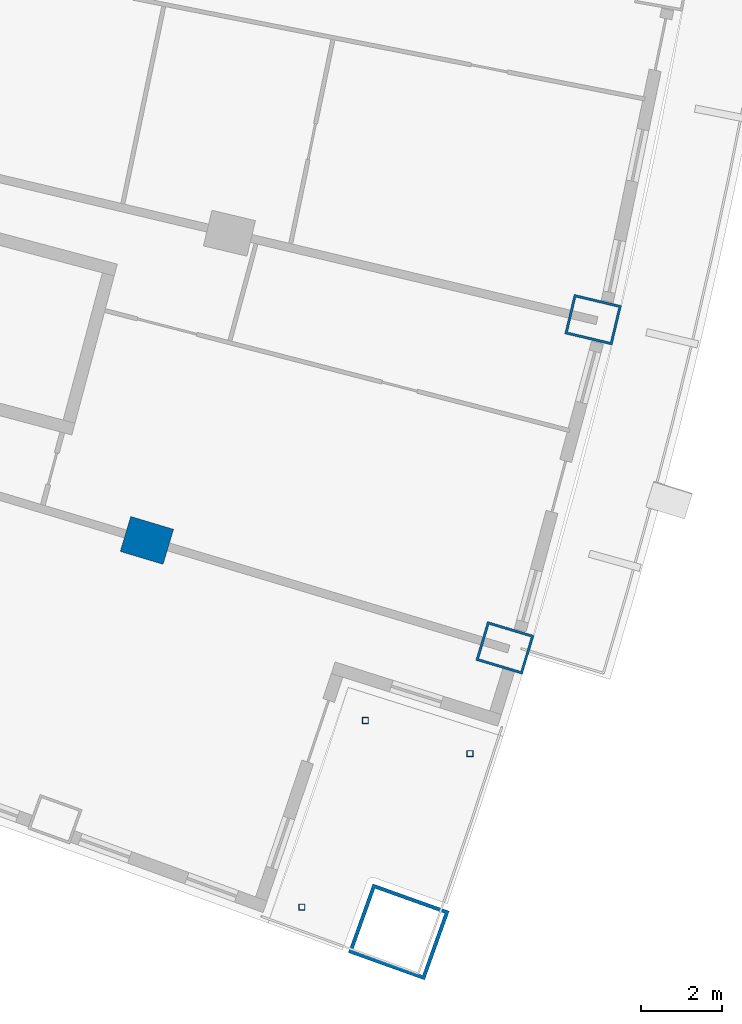
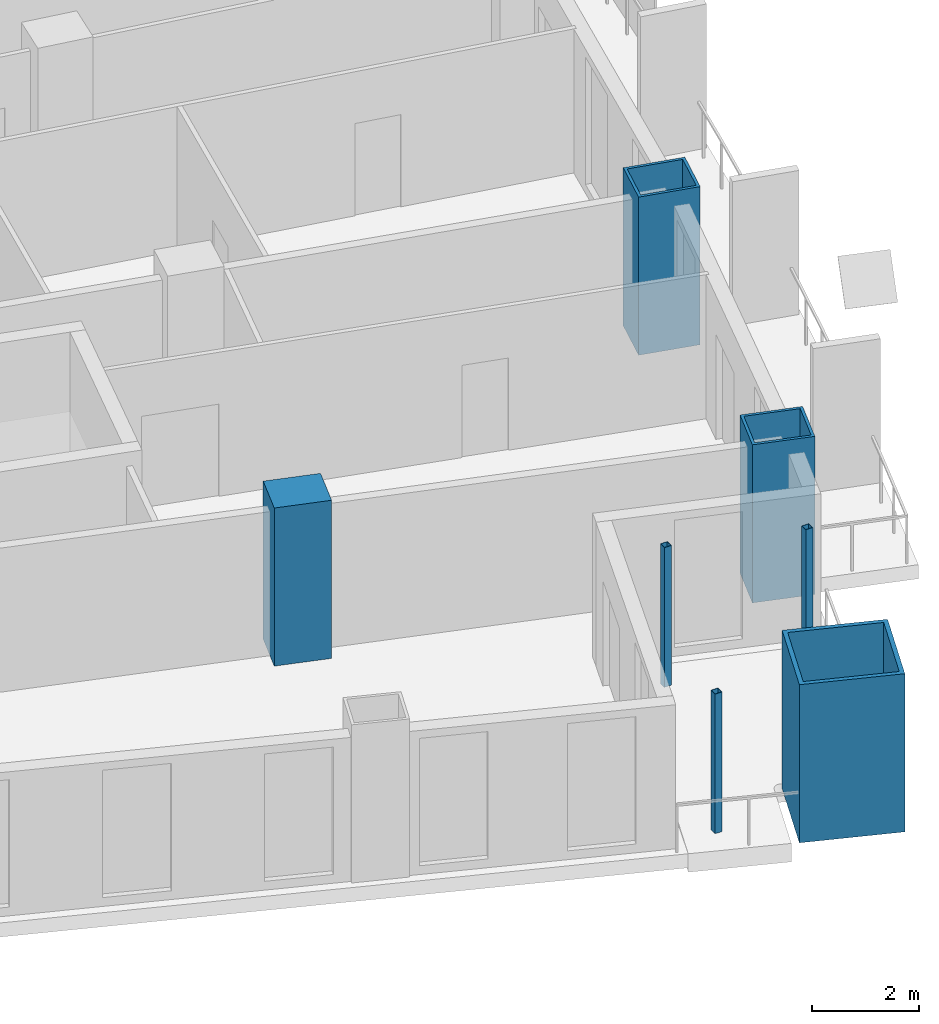
# One storey, part 5 of 24: 7 columns.
"""IFC4 building model written with IfcOpenShell, lengths in metres."""

from ifc_helpers import new_model, si_unit, direction, frame, origin, origin_2d, place, context, subcontext, project, spatial, rectangle, hollow_rectangle, extrude, material, material_profile, profile_set, type_object, element, save


model = new_model("IFC4")

# Units and contexts
model_context = context("Model", 3, precision=1e-05, world=origin(), true_north=direction((0.0, 1.0)))
body_context = subcontext(model_context, "Body", "Model", "MODEL_VIEW")
ifc_project = project(units=[si_unit("LENGTHUNIT", "METRE"), si_unit("AREAUNIT", "SQUARE_METRE"), si_unit("VOLUMEUNIT", "CUBIC_METRE"), si_unit("PLANEANGLEUNIT", "RADIAN"), si_unit("MASSUNIT", "GRAM", prefix="KILO")], contexts=[model_context])

# Site, building, storey
site_placement = place(None, origin())
site = spatial("IfcSite", under=ifc_project, at=site_placement, CompositionType="ELEMENT")
building_placement = place(site_placement, origin())
building = spatial("IfcBuilding", under=site, at=building_placement, Name="Alderwake Tower", CompositionType="ELEMENT")
storey_placement = place(building_placement, frame((0.0, 0.0, 39.199951171875)))
storey = spatial("IfcBuildingStorey", under=building, at=storey_placement, Name="L08", CompositionType="ELEMENT", Elevation=39.199951171875)

# Columns
ifc_material_1 = material(Name="Concrete C70/85", Category="concrete")
ifc_material_profile_1 = material_profile(ifc_material_1, rectangle(XDim=0.89990234375, YDim=1.10009765625, at=origin_2d()), Name="RC 1100X900")
ifc_profile_set_1 = profile_set([ifc_material_profile_1], Name="Concrete C70/85")
column_type_1 = type_object("IfcColumnType", Name="Interior column Z1", PredefinedType="COLUMN", material=ifc_profile_set_1)
column_1_placement = place(storey_placement, frame((48.5322265625, 22.410888671875, 0.0), z_axis=(0.0, 0.0, 1.0), x_axis=(0.287549418125, 0.957765802342, 0.0)))
element("IfcColumn", 1, at=column_1_placement, inside=storey, type_object=column_type_1, Name="Column R02-C4", PredefinedType="COLUMN", context=body_context, shape_type="SweptSolid", body=[
    extrude(rectangle(XDim=0.89990234375, YDim=1.10009765625, at=origin_2d()), origin(), (0.0, 0.0, 1.0), 3.60009765625),
])
ifc_material_2 = material(Name="Steel ASTM A500 Grade C", Category="steel")
ifc_material_profile_2 = material_profile(ifc_material_2, hollow_rectangle(XDim=0.15234375, YDim=0.15234375, WallThickness=0.0087890625, at=origin_2d()), Name="HSS6X6X3/8")
ifc_profile_set_2 = profile_set([ifc_material_profile_2], Name="Steel ASTM A500 Grade C")
column_type_2 = type_object("IfcColumnType", Name="Light post HSS6X6X3/8", PredefinedType="COLUMN", material=ifc_profile_set_2)
for number, where, z_axis, x_axis, name in (
    (2, (56.482666015625, 17.162841796875, 0.0), (0.0, 0.0, 1.0), (1.0, 0.0, 0.0), "Terrace post FS1"),
    (3, (52.34423828125, 13.382568359375, 0.0), (0.0, 0.0, 1.0), (1.0, 0.0, 0.0), "Terrace post FS2"),
    (4, (53.908203125, 17.976806640625, 0.0), (0.0, 0.0, 1.0), (1.0, 0.0, 0.0), "Terrace post FS3"),
):
    element("IfcColumn", number, at=place(storey_placement, frame(where, z_axis=z_axis, x_axis=x_axis)), inside=storey, type_object=column_type_2, Name=name, PredefinedType="COLUMN", context=body_context, shape_type="SweptSolid", body=[
        extrude(hollow_rectangle(XDim=0.15234375, YDim=0.15234375, WallThickness=0.0087890625, at=origin_2d()), origin(), (0.0, 0.0, 1.0), 3.179931640625),
    ])
ifc_material_3 = material(Name="Steel ASTM A572 Grade 50 concrete filled C70/85", Category="concrete")
ifc_material_profile_3 = material_profile(ifc_material_3, hollow_rectangle(XDim=1.800048828125, YDim=2.0, WallThickness=0.090087890625, at=origin_2d()), Name="BOX 2000X1800X90")
ifc_profile_set_3 = profile_set([ifc_material_profile_3], Name="Steel ASTM A572 Grade 50 concrete filled C70/85")
column_type_3 = type_object("IfcColumnType", Name="Mega column Z1", PredefinedType="COLUMN", material=ifc_profile_set_3)
column_2_placement = place(storey_placement, frame((54.7294921875, 12.77587890625, 0.0), z_axis=(0.0, 0.0, 1.0), x_axis=(0.336995022772, 0.941506428351, 0.0)))
element("IfcColumn", 5, at=column_2_placement, inside=storey, type_object=column_type_3, Name="Column R01-C5", PredefinedType="COLUMN", context=body_context, shape_type="SweptSolid", body=[
    extrude(hollow_rectangle(XDim=1.800048828125, YDim=2.0, WallThickness=0.090087890625, at=origin_2d()), origin(), (0.0, 0.0, 1.0), 3.60009765625),
])
ifc_material_4 = material(Name="Steel ASTM A572 Grade 50 concrete filled C70/85", Category="concrete")
ifc_material_profile_4 = material_profile(ifc_material_4, hollow_rectangle(XDim=1.0, YDim=1.199951171875, WallThickness=0.06005859375, at=origin_2d()), Name="BOX 1200X1000X60")
ifc_profile_set_4 = profile_set([ifc_material_profile_4], Name="Steel ASTM A572 Grade 50 concrete filled C70/85")
column_type_4 = type_object("IfcColumnType", Name="Perimeter column Z1", PredefinedType="COLUMN", material=ifc_profile_set_4)
for number, where, z_axis, x_axis, name in (
    (6, (57.343505859375, 19.765380859375, 0.0), (0.0, 0.0, 1.0), (0.287549418125, 0.957765802342, 0.0), "Column R02-C5"),
    (7, (59.513916015625, 27.8427734375, 0.0), (0.0, 0.0, 1.0), (0.231221547198, 0.972901123502, 0.0), "Column R03-C5"),
):
    element("IfcColumn", number, at=place(storey_placement, frame(where, z_axis=z_axis, x_axis=x_axis)), inside=storey, type_object=column_type_4, Name=name, PredefinedType="COLUMN", context=body_context, shape_type="SweptSolid", body=[
        extrude(hollow_rectangle(XDim=1.0, YDim=1.199951171875, WallThickness=0.06005859375, at=origin_2d()), origin(), (0.0, 0.0, 1.0), 3.60009765625),
    ])

save(model, "model.ifc")
